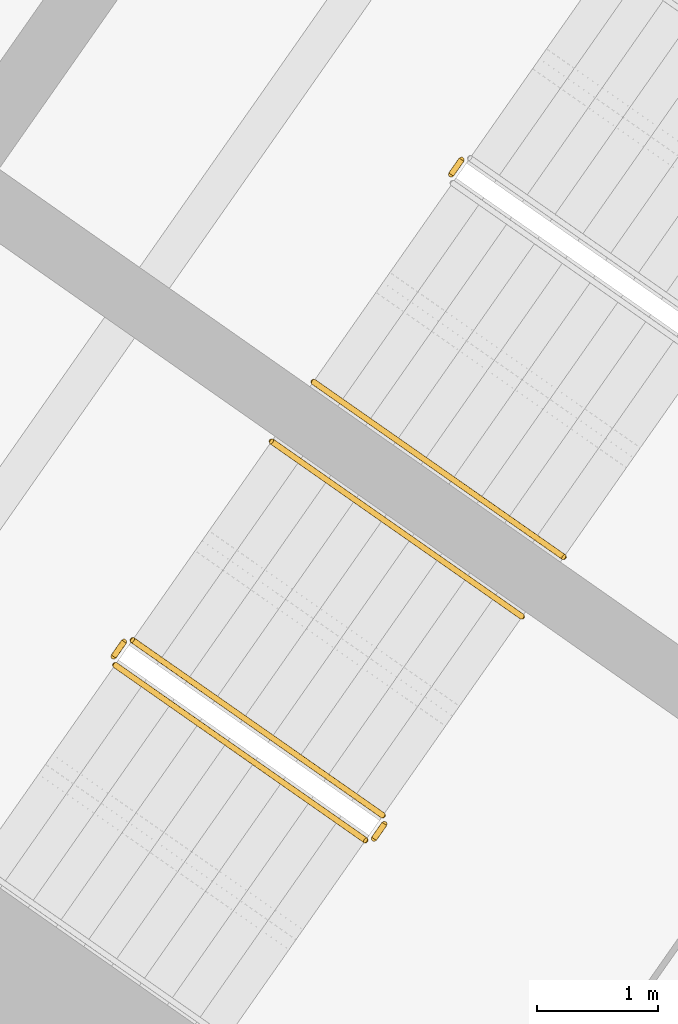
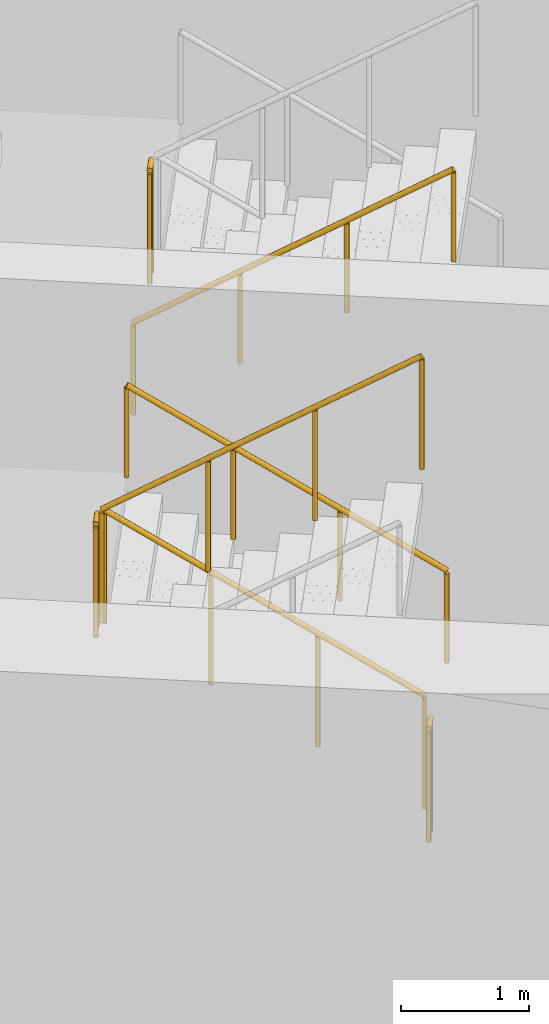
# One storey, part 21 of 23: 7 railings.
"""IFC4 building model written with IfcOpenShell, lengths in metres."""

from ifc_helpers import new_model, si_unit, direction, frame, origin, origin_2d, place, context, subcontext, project, spatial, circle, extrude, material, type_object, element, save


model = new_model("IFC4")

# Units and contexts
model_context = context("Model", 3, precision=1e-05, world=origin(), true_north=direction((0.0, 1.0)))
body_context = subcontext(model_context, "Body", "Model", "MODEL_VIEW")
ifc_project = project(units=[si_unit("LENGTHUNIT", "METRE"), si_unit("AREAUNIT", "SQUARE_METRE"), si_unit("VOLUMEUNIT", "CUBIC_METRE"), si_unit("PLANEANGLEUNIT", "RADIAN"), si_unit("MASSUNIT", "GRAM", prefix="KILO")], contexts=[model_context])

# Site, building, storey
site_placement = place(None, origin())
site = spatial("IfcSite", under=ifc_project, at=site_placement, CompositionType="ELEMENT")
building_placement = place(site_placement, origin())
building = spatial("IfcBuilding", under=site, at=building_placement, Name="Tel Ilan Convention Tower", CompositionType="ELEMENT")
storey_placement = place(building_placement, frame((0.0, 0.0, 104.89990234375)))
storey = spatial("IfcBuildingStorey", under=building, at=storey_placement, Name="L22", CompositionType="ELEMENT", Elevation=104.89990234375)

# Railings
ifc_material_1 = material(Name="Stainless Steel Grade 316", Category="steel")
railing_type_1 = type_object("IfcRailingType", Name="Stainless Steel Stair Guard 1100 mm", PredefinedType="GUARDRAIL", material=ifc_material_1)
railing_1_placement = place(storey_placement, frame((21.544921875, -6.41845703125, 1.800048828125)))
element("IfcRailing", 1, at=railing_1_placement, inside=storey, type_object=railing_type_1, Name="L22 S3 stair guard 2", PredefinedType="GUARDRAIL", context=body_context, shape_type="SweptSolid", body=[
    extrude(circle(Radius=0.02392578125, at=origin_2d()), frame((0.0, 0.0, 1.076171875), z_axis=(-0.573353020881, -0.819308436089, 0.0), x_axis=(0.819308436089, -0.573353020881, 0.0)), (0.0, 0.0, 1.0), 0.14990234375),
    extrude(circle(Radius=0.02099609375, at=origin_2d()), origin(), (0.0, 0.0, 1.0), 1.052001953125),
    extrude(circle(Radius=0.02099609375, at=origin_2d()), frame((-0.0859375, -0.122802734375, 0.0)), (0.0, 0.0, 1.0), 1.052001953125),
])
railing_2_placement = place(storey_placement, frame((20.89697265625, -11.824462890625, 0.18017578125)))
element("IfcRailing", 2, at=railing_2_placement, inside=storey, type_object=railing_type_1, Name="L22 S4 stair guard 1", PredefinedType="GUARDRAIL", context=body_context, shape_type="SweptSolid", body=[
    extrude(circle(Radius=0.02392578125, at=origin_2d()), frame((0.0, 0.0, 1.076171875), z_axis=(-0.689043377453, 0.48253410265, 0.540721798865), x_axis=(-0.573624882958, -0.819118119475, 0.0)), (0.0, 0.0, 1.0), 2.995849609375),
    extrude(circle(Radius=0.02099609375, at=origin_2d()), origin(), (0.0, 0.0, 1.0), 1.052001953125),
    extrude(circle(Radius=0.02099609375, at=origin_2d()), frame((-0.68798828125, 0.48193359375, 0.5400390625)), (0.0, 0.0, 1.0), 1.052001953125),
    extrude(circle(Radius=0.02099609375, at=origin_2d()), frame((-1.376220703125, 0.963623046875, 1.079833984375)), (0.0, 0.0, 1.0), 1.052001953125),
    extrude(circle(Radius=0.02099609375, at=origin_2d()), frame((-2.064208984375, 1.445556640625, 1.619873046875)), (0.0, 0.0, 1.0), 1.052001953125),
])
railing_3_placement = place(storey_placement, frame((18.762939453125, -10.391357421875, 1.800048828125)))
element("IfcRailing", 3, at=railing_3_placement, inside=storey, type_object=railing_type_1, Name="L22 S4 stair guard 2", PredefinedType="GUARDRAIL", context=body_context, shape_type="SweptSolid", body=[
    extrude(circle(Radius=0.02392578125, at=origin_2d()), frame((0.0, 0.0, 1.076171875), z_axis=(-0.573353020881, -0.819308436089, 0.0), x_axis=(0.819308436089, -0.573353020881, 0.0)), (0.0, 0.0, 1.0), 0.14990234375),
    extrude(circle(Radius=0.02099609375, at=origin_2d()), origin(), (0.0, 0.0, 1.0), 1.052001953125),
    extrude(circle(Radius=0.02099609375, at=origin_2d()), frame((-0.0859375, -0.122802734375, 0.0)), (0.0, 0.0, 1.0), 1.052001953125),
])
railing_4_placement = place(storey_placement, frame((18.689208984375, -10.583740234375, 1.97998046875)))
element("IfcRailing", 4, at=railing_4_placement, inside=storey, type_object=railing_type_1, Name="L22 S4 stair guard 3", PredefinedType="GUARDRAIL", context=body_context, shape_type="SweptSolid", body=[
    extrude(circle(Radius=0.02392578125, at=origin_2d()), frame((0.0, 0.0, 1.076171875), z_axis=(0.689055814419, -0.482485747064, 0.540749099395), x_axis=(0.573579365141, 0.81914999352, 0.0)), (0.0, 0.0, 1.0), 2.99609375),
    extrude(circle(Radius=0.02099609375, at=origin_2d()), origin(), (0.0, 0.0, 1.0), 1.052001953125),
    extrude(circle(Radius=0.02099609375, at=origin_2d()), frame((0.688232421875, -0.48193359375, 0.5400390625)), (0.0, 0.0, 1.0), 1.052001953125),
    extrude(circle(Radius=0.02099609375, at=origin_2d()), frame((1.376220703125, -0.963623046875, 1.080078125)), (0.0, 0.0, 1.0), 1.052001953125),
    extrude(circle(Radius=0.02099609375, at=origin_2d()), frame((2.064453125, -1.445556640625, 1.6201171875)), (0.0, 0.0, 1.0), 1.052001953125),
])
railing_5_placement = place(storey_placement, frame((20.9091796875, -11.89404296875, 0.0)))
element("IfcRailing", 5, at=railing_5_placement, inside=storey, type_object=railing_type_1, Name="L22 S4 stair guard 4", PredefinedType="GUARDRAIL", context=body_context, shape_type="SweptSolid", body=[
    extrude(circle(Radius=0.02392578125, at=origin_2d()), frame((0.0, 0.0, 1.076171875), z_axis=(-0.573353020881, -0.819308436089, 0.0), x_axis=(0.819308436089, -0.573353020881, 0.0)), (0.0, 0.0, 1.0), 0.14990234375),
    extrude(circle(Radius=0.02099609375, at=origin_2d()), origin(), (0.0, 0.0, 1.0), 1.052001953125),
    extrude(circle(Radius=0.02099609375, at=origin_2d()), frame((-0.0859375, -0.122802734375, 0.0)), (0.0, 0.0, 1.0), 1.052001953125),
])
ifc_material_2 = material(Name="Stainless Steel Grade 316", Category="steel")
railing_type_2 = type_object("IfcRailingType", Name="Stainless Steel Stair Handrail 900 mm", PredefinedType="HANDRAIL", material=ifc_material_2)
railing_6_placement = place(storey_placement, frame((20.323974609375, -8.249267578125, 1.97998046875)))
element("IfcRailing", 6, at=railing_6_placement, inside=storey, type_object=railing_type_2, Name="L22 S3 stair handrail 2", PredefinedType="HANDRAIL", context=body_context, shape_type="SweptSolid", body=[
    extrude(circle(Radius=0.02392578125, at=origin_2d()), frame((0.0, 0.0, 0.8759765625), z_axis=(0.689040105437, -0.482450316285, 0.54080072616), x_axis=(0.573559875649, 0.819163639968, 0.0)), (0.0, 0.0, 1.0), 2.995849609375),
    extrude(circle(Radius=0.02099609375, at=origin_2d()), origin(), (0.0, 0.0, 1.0), 0.851806640625),
    extrude(circle(Radius=0.02099609375, at=origin_2d()), frame((0.68798828125, -0.481689453125, 0.5400390625)), (0.0, 0.0, 1.0), 0.851806640625),
    extrude(circle(Radius=0.02099609375, at=origin_2d()), frame((1.376220703125, -0.963623046875, 1.080078125)), (0.0, 0.0, 1.0), 0.851806640625),
    extrude(circle(Radius=0.02099609375, at=origin_2d()), frame((2.064208984375, -1.4453125, 1.6201171875)), (0.0, 0.0, 1.0), 0.851806640625),
])
railing_7_placement = place(storey_placement, frame((22.044189453125, -10.18603515625, 0.18017578125)))
element("IfcRailing", 7, at=railing_7_placement, inside=storey, type_object=railing_type_2, Name="L22 S4 stair handrail 1", PredefinedType="HANDRAIL", context=body_context, shape_type="SweptSolid", body=[
    extrude(circle(Radius=0.02392578125, at=origin_2d()), frame((0.0, 0.0, 0.8759765625), z_axis=(-0.689113270881, 0.482444484817, 0.540712695399), x_axis=(-0.573514357932, -0.81919550856, 0.0)), (0.0, 0.0, 1.0), 2.995849609375),
    extrude(circle(Radius=0.02099609375, at=origin_2d()), origin(), (0.0, 0.0, 1.0), 0.851806640625),
    extrude(circle(Radius=0.02099609375, at=origin_2d()), frame((-0.688232421875, 0.481689453125, 0.5400390625)), (0.0, 0.0, 1.0), 0.851806640625),
    extrude(circle(Radius=0.02099609375, at=origin_2d()), frame((-1.376220703125, 0.963623046875, 1.079833984375)), (0.0, 0.0, 1.0), 0.851806640625),
    extrude(circle(Radius=0.02099609375, at=origin_2d()), frame((-2.064453125, 1.4453125, 1.619873046875)), (0.0, 0.0, 1.0), 0.851806640625),
])

save(model, "model.ifc")
